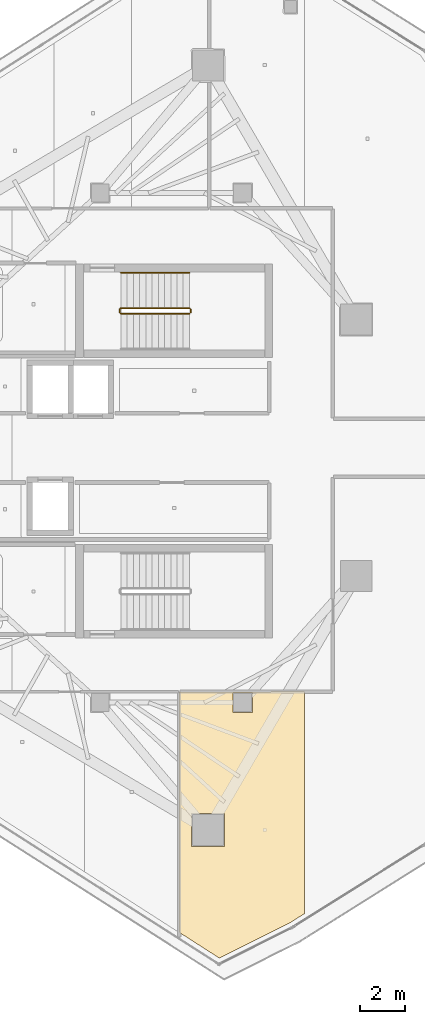
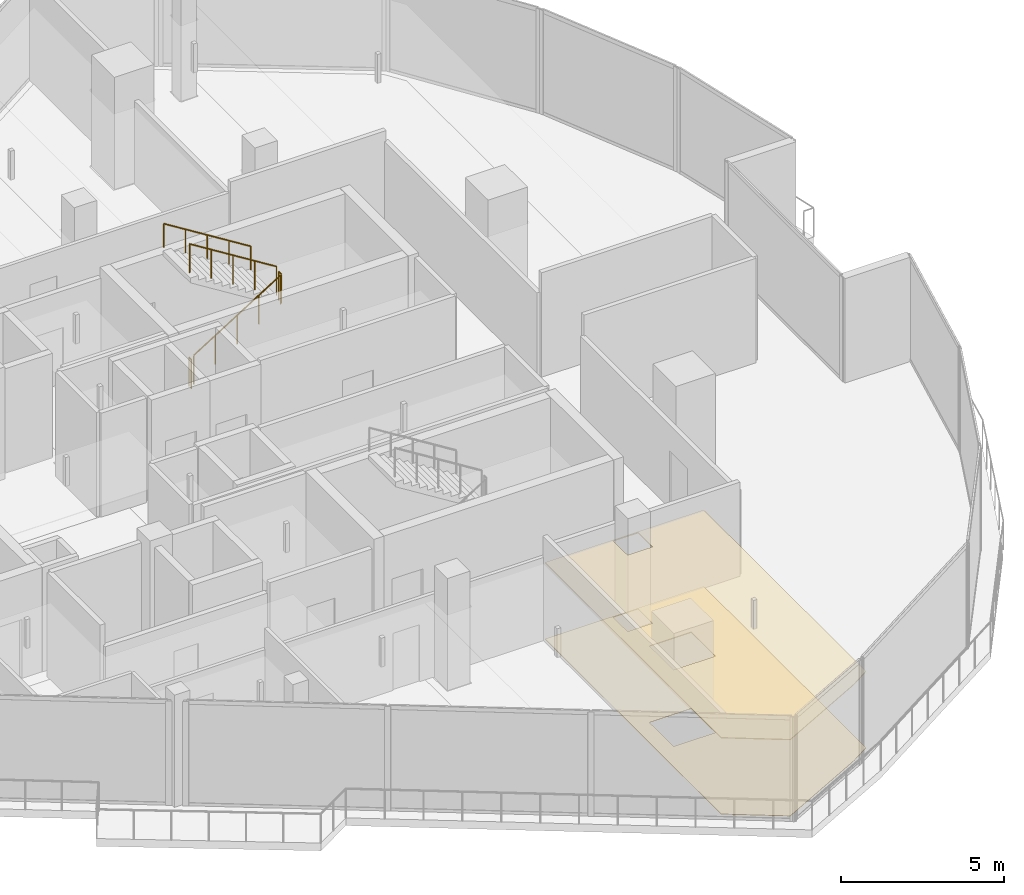
# One storey, part 26 of 27: 5 railings, 2 coverings.
"""IFC4 building model written with IfcOpenShell, lengths in metres."""

from ifc_helpers import new_model, si_unit, direction, frame, origin, origin_2d, place, context, subcontext, project, spatial, polyline, circle, outline, extrude, material, layer, layer_set, type_object, element, save


model = new_model("IFC4")

# Units and contexts
model_context = context("Model", 3, precision=1e-05, world=origin(), true_north=direction((0.0, 1.0)))
body_context = subcontext(model_context, "Body", "Model", "MODEL_VIEW")
ifc_project = project(units=[si_unit("LENGTHUNIT", "METRE"), si_unit("AREAUNIT", "SQUARE_METRE"), si_unit("VOLUMEUNIT", "CUBIC_METRE"), si_unit("PLANEANGLEUNIT", "RADIAN"), si_unit("MASSUNIT", "GRAM", prefix="KILO")], contexts=[model_context])

# Site, building, storey
site_placement = place(None, origin())
site = spatial("IfcSite", under=ifc_project, at=site_placement, CompositionType="ELEMENT")
building_placement = place(site_placement, origin())
building = spatial("IfcBuilding", under=site, at=building_placement, Name="Qorvath Tower", CompositionType="ELEMENT")
storey_placement = place(building_placement, frame((0.0, 0.0, 293.39990234375)))
storey = spatial("IfcBuildingStorey", under=building, at=storey_placement, Name="L68", CompositionType="ELEMENT", Elevation=293.39990234375)

# Coverings
ifc_material_1 = material(Name="Acoustic mineral fibre ceiling tile", Category="gypsum")
ifc_layer_1 = layer(ifc_material_1, 0.030029296875)
ifc_layer_set_1 = layer_set([ifc_layer_1], Name="COV-CEIL")
covering_type_1 = type_object("IfcCoveringType", Name="COV-CEIL", PredefinedType="CEILING", material=ifc_layer_set_1)
covering_1_placement = place(storey_placement, frame((0.0, 0.0, 2.85009765625)))
element("IfcCovering", 1, at=covering_1_placement, inside=storey, type_object=covering_type_1, Name="L68 Suspended Acoustic Ceiling 015", PredefinedType="CEILING", context=body_context, shape_type="SweptSolid", body=[
    extrude(outline(polyline([(-20.034912109375, -10.962890625), (-20.0361328125, -21.7822265625), (-18.252685546875, -22.928466796875), (-15.066162109375, -21.338623046875), (-14.41064453125, -20.9248046875), (-14.41064453125, -10.9619140625), (-20.034912109375, -10.962890625)]), holes=[polyline([(-17.642333984375, -11.892333984375), (-17.642333984375, -11.007568359375), (-16.757568359375, -11.007568359375), (-16.757568359375, -11.892333984375), (-17.642333984375, -11.892333984375)]), polyline([(-19.492919921875, -17.91796875), (-19.492919921875, -16.43310546875), (-18.008056640625, -16.43310546875), (-18.008056640625, -17.91796875), (-19.492919921875, -17.91796875)])]), origin(), (0.0, 0.0, 1.0), 0.030029296875),
])
ifc_material_2 = material(Name="Low-VOC modular carpet tile", Category="textile")
ifc_layer_2 = layer(ifc_material_2, 0.014892578125)
ifc_layer_set_2 = layer_set([ifc_layer_2], Name="COV-FLOOR-CPT")
covering_type_2 = type_object("IfcCoveringType", Name="COV-FLOOR-CPT", PredefinedType="FLOORING", material=ifc_layer_set_2)
covering_2_placement = place(storey_placement, origin())
element("IfcCovering", 2, at=covering_2_placement, inside=storey, type_object=covering_type_2, Name="L68 Floor Finish 015", PredefinedType="FLOORING", context=body_context, shape_type="SweptSolid", body=[
    extrude(outline(polyline([(-20.034912109375, -10.962890625), (-20.0361328125, -21.7822265625), (-18.252685546875, -22.928466796875), (-15.066162109375, -21.338623046875), (-14.41064453125, -20.9248046875), (-14.41064453125, -10.9619140625), (-20.034912109375, -10.962890625)]), holes=[polyline([(-17.642333984375, -11.892333984375), (-17.642333984375, -11.007568359375), (-16.757568359375, -11.007568359375), (-16.757568359375, -11.892333984375), (-17.642333984375, -11.892333984375)]), polyline([(-19.492919921875, -17.91796875), (-19.492919921875, -16.43310546875), (-18.008056640625, -16.43310546875), (-18.008056640625, -17.91796875), (-19.492919921875, -17.91796875)])]), origin(), (0.0, 0.0, 1.0), 0.01513671875),
])

# Railings
ifc_material_3 = material(Name="Painted galvanised steel", Category="steel")
railing_type_1 = type_object("IfcRailingType", Name="RL-STR-GRD", PredefinedType="GUARDRAIL", material=ifc_material_3)
railing_1_placement = place(storey_placement, frame((-22.669921875, 6.030029296875, 0.175048828125)))
element("IfcRailing", 3, at=railing_1_placement, inside=storey, type_object=railing_type_1, Name="L68 TS1 stair guard 1", PredefinedType="GUARDRAIL", context=body_context, shape_type="SweptSolid", body=[
    extrude(circle(Radius=0.02392578125, at=origin_2d()), frame((0.0, 0.0, 1.076171875), z_axis=(0.847979421464, 0.0, 0.530029150871), x_axis=(0.0, 1.0, 0.0)), (0.0, 0.0, 1.0), 3.632080078125),
    extrude(circle(Radius=0.02099609375, at=origin_2d()), origin(), (0.0, 0.0, 1.0), 1.052001953125),
    extrude(circle(Radius=0.02099609375, at=origin_2d()), frame((0.77001953125, 0.0, 0.481201171875)), (0.0, 0.0, 1.0), 1.052001953125),
    extrude(circle(Radius=0.02099609375, at=origin_2d()), frame((1.5400390625, 0.0, 0.96240234375)), (0.0, 0.0, 1.0), 1.052001953125),
    extrude(circle(Radius=0.02099609375, at=origin_2d()), frame((2.309814453125, 0.0, 1.44384765625)), (0.0, 0.0, 1.0), 1.052001953125),
    extrude(circle(Radius=0.02099609375, at=origin_2d()), frame((3.079833984375, 0.0, 1.925048828125)), (0.0, 0.0, 1.0), 1.052001953125),
])
railing_2_placement = place(storey_placement, frame((-19.5400390625, 6.080078125, 2.10009765625)))
element("IfcRailing", 4, at=railing_2_placement, inside=storey, type_object=railing_type_1, Name="L68 TS1 stair guard 2", PredefinedType="GUARDRAIL", context=body_context, shape_type="SweptSolid", body=[
    extrude(circle(Radius=0.02392578125, at=origin_2d()), frame((0.0, 0.0, 1.076171875), z_axis=(0.0, 1.0, 0.0), x_axis=(-1.0, 0.0, 0.0)), (0.0, 0.0, 1.0), 0.14990234375),
    extrude(circle(Radius=0.02099609375, at=origin_2d()), origin(), (0.0, 0.0, 1.0), 1.052001953125),
    extrude(circle(Radius=0.02099609375, at=origin_2d()), frame((0.0, 0.14990234375, 0.0)), (0.0, 0.0, 1.0), 1.052001953125),
])
railing_3_placement = place(storey_placement, frame((-19.590087890625, 6.280029296875, 2.275146484375)))
element("IfcRailing", 5, at=railing_3_placement, inside=storey, type_object=railing_type_1, Name="L68 TS1 stair guard 3", PredefinedType="GUARDRAIL", context=body_context, shape_type="SweptSolid", body=[
    extrude(circle(Radius=0.02392578125, at=origin_2d()), frame((0.0, 0.0, 1.076171875), z_axis=(-0.847979421464, 0.0, 0.530029150871), x_axis=(0.0, -1.0, 0.0)), (0.0, 0.0, 1.0), 3.632080078125),
    extrude(circle(Radius=0.02099609375, at=origin_2d()), origin(), (0.0, 0.0, 1.0), 1.052001953125),
    extrude(circle(Radius=0.02099609375, at=origin_2d()), frame((-0.77001953125, 0.0, 0.481201171875)), (0.0, 0.0, 1.0), 1.052001953125),
    extrude(circle(Radius=0.02099609375, at=origin_2d()), frame((-1.5400390625, 0.0, 0.96240234375)), (0.0, 0.0, 1.0), 1.052001953125),
    extrude(circle(Radius=0.02099609375, at=origin_2d()), frame((-2.309814453125, 0.0, 1.44384765625)), (0.0, 0.0, 1.0), 1.052001953125),
    extrude(circle(Radius=0.02099609375, at=origin_2d()), frame((-3.079833984375, 0.0, 1.925048828125)), (0.0, 0.0, 1.0), 1.052001953125),
])
railing_4_placement = place(storey_placement, frame((-22.719970703125, 6.080078125, 0.0)))
element("IfcRailing", 6, at=railing_4_placement, inside=storey, type_object=railing_type_1, Name="L68 TS1 stair guard 4", PredefinedType="GUARDRAIL", context=body_context, shape_type="SweptSolid", body=[
    extrude(circle(Radius=0.02392578125, at=origin_2d()), frame((0.0, 0.0, 1.076171875), z_axis=(0.0, 1.0, 0.0), x_axis=(-1.0, 0.0, 0.0)), (0.0, 0.0, 1.0), 0.14990234375),
    extrude(circle(Radius=0.02099609375, at=origin_2d()), origin(), (0.0, 0.0, 1.0), 1.052001953125),
    extrude(circle(Radius=0.02099609375, at=origin_2d()), frame((0.0, 0.14990234375, 0.0)), (0.0, 0.0, 1.0), 1.052001953125),
])
ifc_material_4 = material(Name="Brushed stainless steel AISI 304", Category="steel")
railing_type_2 = type_object("IfcRailingType", Name="RL-STR-HND", PredefinedType="HANDRAIL", material=ifc_material_4)
railing_5_placement = place(storey_placement, frame((-19.590087890625, 7.860107421875, 2.275146484375)))
element("IfcRailing", 7, at=railing_5_placement, inside=storey, type_object=railing_type_2, Name="L68 TS1 stair handrail 2", PredefinedType="HANDRAIL", context=body_context, shape_type="SweptSolid", body=[
    extrude(circle(Radius=0.02392578125, at=origin_2d()), frame((0.0, 0.0, 0.8759765625), z_axis=(-0.847979421464, 0.0, 0.530029150871), x_axis=(0.0, -1.0, 0.0)), (0.0, 0.0, 1.0), 3.632080078125),
    extrude(circle(Radius=0.02099609375, at=origin_2d()), origin(), (0.0, 0.0, 1.0), 0.851806640625),
    extrude(circle(Radius=0.02099609375, at=origin_2d()), frame((-0.77001953125, 0.0, 0.481201171875)), (0.0, 0.0, 1.0), 0.851806640625),
    extrude(circle(Radius=0.02099609375, at=origin_2d()), frame((-1.5400390625, 0.0, 0.96240234375)), (0.0, 0.0, 1.0), 0.851806640625),
    extrude(circle(Radius=0.02099609375, at=origin_2d()), frame((-2.309814453125, 0.0, 1.44384765625)), (0.0, 0.0, 1.0), 0.851806640625),
    extrude(circle(Radius=0.02099609375, at=origin_2d()), frame((-3.079833984375, 0.0, 1.925048828125)), (0.0, 0.0, 1.0), 0.851806640625),
])

save(model, "model.ifc")
